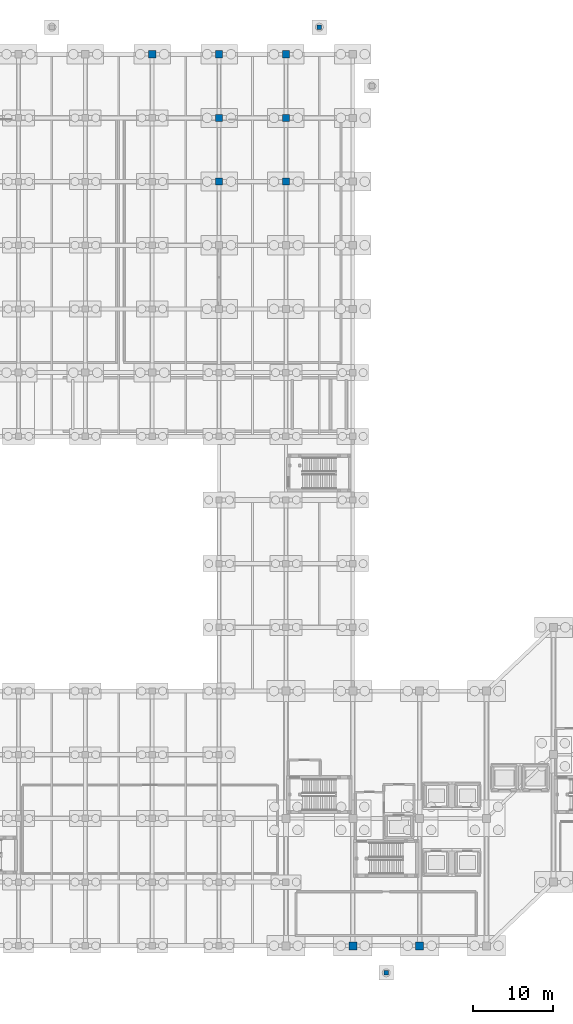
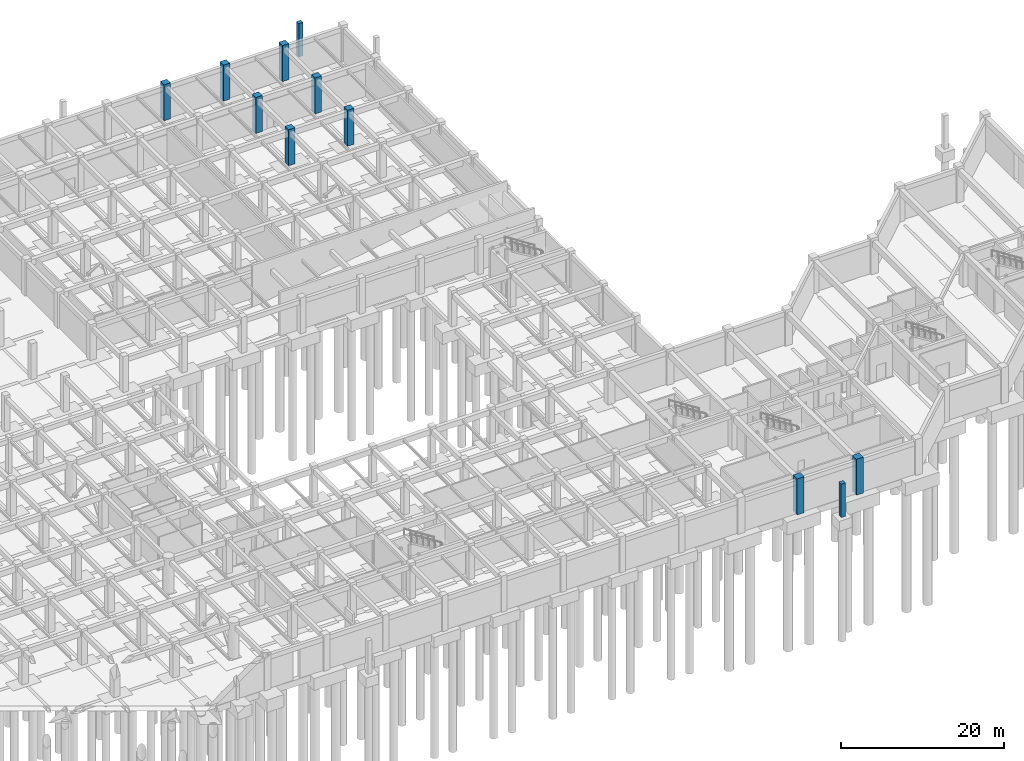
# One storey, part 24 of 56: 11 columns.
"""IFC4 building model written with IfcOpenShell, lengths in metres."""

from ifc_helpers import new_model, si_unit, direction, frame, origin, origin_2d, place, context, subcontext, project, spatial, rectangle, extrude, material, material_profile, profile_set, type_object, element, save


model = new_model("IFC4")

# Units and contexts
model_context = context("Model", 3, precision=1e-05, world=origin(), true_north=direction((0.0, 1.0)))
body_context = subcontext(model_context, "Body", "Model", "MODEL_VIEW")
ifc_project = project(units=[si_unit("LENGTHUNIT", "METRE"), si_unit("AREAUNIT", "SQUARE_METRE"), si_unit("VOLUMEUNIT", "CUBIC_METRE"), si_unit("PLANEANGLEUNIT", "RADIAN"), si_unit("MASSUNIT", "GRAM", prefix="KILO")], contexts=[model_context])

# Site, building, storey
site_placement = place(None, origin())
site = spatial("IfcSite", under=ifc_project, at=site_placement, CompositionType="ELEMENT")
building_placement = place(site_placement, origin())
building = spatial("IfcBuilding", under=site, at=building_placement, Name="Naruveol Harbour Congress Hotel", CompositionType="ELEMENT")
storey_placement = place(building_placement, frame((0.0, 0.0, -5.39990234375)))
storey = spatial("IfcBuildingStorey", under=building, at=storey_placement, Name="B01", CompositionType="ELEMENT", Elevation=-5.39990234375)

# Columns
ifc_material_1 = material(Name="Concrete C50/60", Category="concrete")
ifc_material_profile_1 = material_profile(ifc_material_1, rectangle(XDim=1.0, YDim=1.0, at=origin_2d()), Name="RC-1000x1000")
ifc_profile_set_1 = profile_set([ifc_material_profile_1], Name="Concrete C50/60")
column_type_1 = type_object("IfcColumnType", Name="RC PRIMARY COLUMN 1000X1000", PredefinedType="COLUMN", material=ifc_profile_set_1)
for number, where, z_axis, x_axis, name in (
    (1, (126.0, 0.0, 0.0), (0.0, 0.0, 1.0), (1.0, 0.0, 0.0), "Column C-1000 B01 (126.0,0.0)"),
    (2, (134.39990234375, 0.0, 0.0), (0.0, 0.0, 1.0), (1.0, 0.0, 0.0), "Column C-1000 B01 (134.4,0.0)"),
):
    element("IfcColumn", number, at=place(storey_placement, frame(where, z_axis=z_axis, x_axis=x_axis)), inside=storey, type_object=column_type_1, Name=name, PredefinedType="COLUMN", context=body_context, shape_type="SweptSolid", body=[
        extrude(rectangle(XDim=1.0, YDim=1.0, at=origin_2d()), origin(), (0.0, 0.0, 1.0), 5.39990234375),
    ])
ifc_material_2 = material(Name="Concrete C50/60", Category="concrete")
ifc_material_profile_2 = material_profile(ifc_material_2, rectangle(XDim=0.89990234375, YDim=0.89990234375, at=origin_2d()), Name="RC-900x900")
ifc_profile_set_2 = profile_set([ifc_material_profile_2], Name="Concrete C50/60")
column_type_2 = type_object("IfcColumnType", Name="RC PRIMARY COLUMN 900X900", PredefinedType="COLUMN", material=ifc_profile_set_2)
for number, where, z_axis, x_axis, name in (
    (3, (100.800048828125, 112.0, 0.0), (0.0, 0.0, 1.0), (1.0, 0.0, 0.0), "Column C-900 B01 (100.8,112.0)"),
    (4, (109.199951171875, 96.0, 0.0), (0.0, 0.0, 1.0), (1.0, 0.0, 0.0), "Column C-900 B01 (109.2,96.0)"),
    (5, (109.199951171875, 104.0, 0.0), (0.0, 0.0, 1.0), (1.0, 0.0, 0.0), "Column C-900 B01 (109.2,104.0)"),
    (6, (109.199951171875, 112.0, 0.0), (0.0, 0.0, 1.0), (1.0, 0.0, 0.0), "Column C-900 B01 (109.2,112.0)"),
    (7, (117.60009765625, 96.0, 0.0), (0.0, 0.0, 1.0), (1.0, 0.0, 0.0), "Column C-900 B01 (117.6,96.0)"),
    (8, (117.60009765625, 104.0, 0.0), (0.0, 0.0, 1.0), (1.0, 0.0, 0.0), "Column C-900 B01 (117.6,104.0)"),
    (9, (117.60009765625, 112.0, 0.0), (0.0, 0.0, 1.0), (1.0, 0.0, 0.0), "Column C-900 B01 (117.6,112.0)"),
):
    element("IfcColumn", number, at=place(storey_placement, frame(where, z_axis=z_axis, x_axis=x_axis)), inside=storey, type_object=column_type_2, Name=name, PredefinedType="COLUMN", context=body_context, shape_type="SweptSolid", body=[
        extrude(rectangle(XDim=0.89990234375, YDim=0.89990234375, at=origin_2d()), origin(), (0.0, 0.0, 1.0), 5.39990234375),
    ])
ifc_material_3 = material(Name="Concrete C40/50", Category="concrete")
ifc_material_profile_3 = material_profile(ifc_material_3, rectangle(XDim=0.60009765625, YDim=0.60009765625, at=origin_2d()), Name="RC-600x600")
ifc_profile_set_3 = profile_set([ifc_material_profile_3], Name="Concrete C40/50")
column_type_3 = type_object("IfcColumnType", Name="RC UPPER COLUMN 600X600", PredefinedType="COLUMN", material=ifc_profile_set_3)
for number, where, z_axis, x_axis, name in (
    (10, (121.800048828125, 115.39990234375, 0.0), (0.0, 0.0, 1.0), (1.0, 0.0, 0.0), "Column C-600 B01 (121.8,115.4)"),
    (11, (130.199951171875, -3.39990234375, 0.0), (0.0, 0.0, 1.0), (1.0, 0.0, 0.0), "Column C-600 B01 (130.2,-3.4)"),
):
    element("IfcColumn", number, at=place(storey_placement, frame(where, z_axis=z_axis, x_axis=x_axis)), inside=storey, type_object=column_type_3, Name=name, PredefinedType="COLUMN", context=body_context, shape_type="SweptSolid", body=[
        extrude(rectangle(XDim=0.60009765625, YDim=0.60009765625, at=origin_2d()), origin(), (0.0, 0.0, 1.0), 5.0),
    ])

save(model, "model.ifc")
